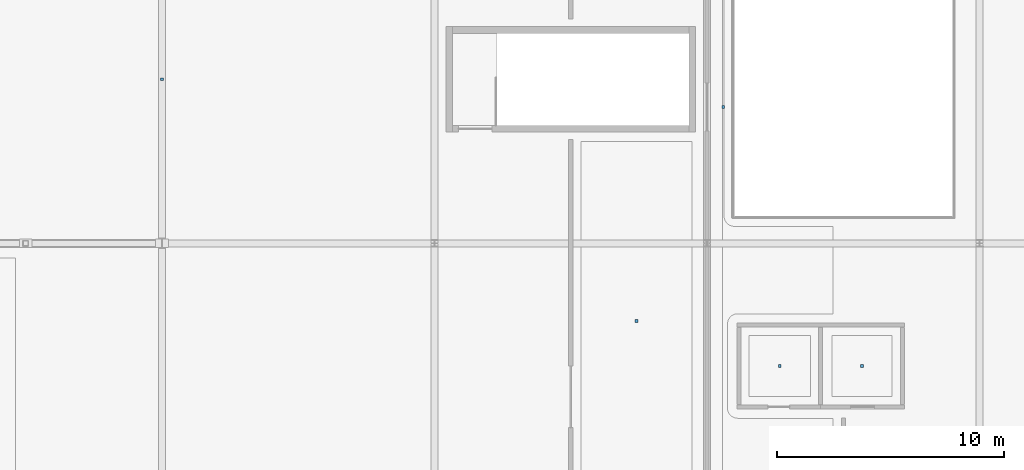
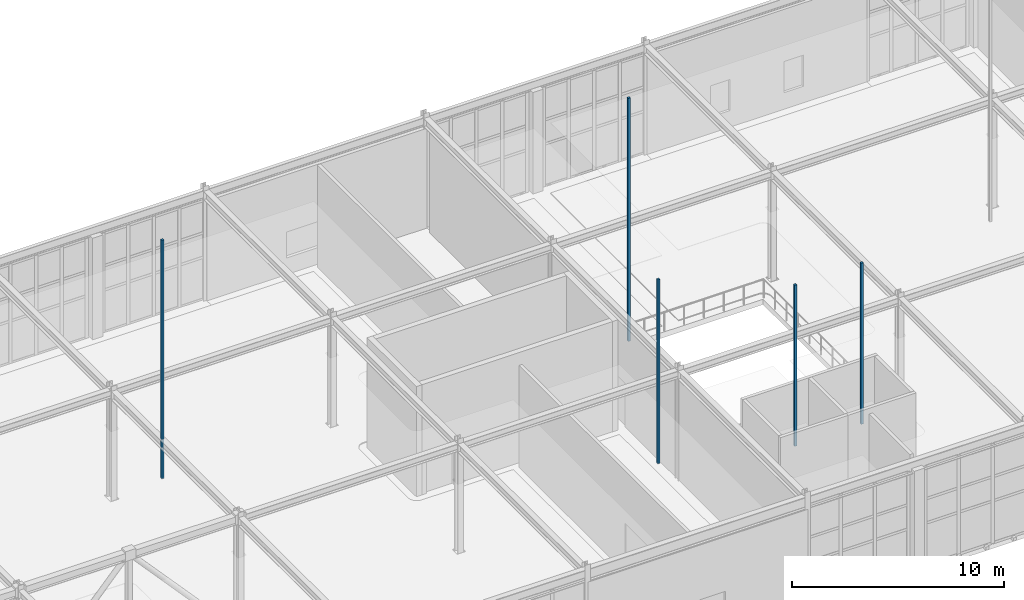
# One storey, part 45 of 62: 5 discrete accessories.
"""IFC4 building model written with IfcOpenShell, lengths in metres."""

from ifc_helpers import new_model, si_unit, direction, frame, origin, origin_2d, place, context, subcontext, project, spatial, rectangle, extrude, material, type_object, element, save


model = new_model("IFC4")

# Units and contexts
model_context = context("Model", 3, precision=1e-05, world=origin(), true_north=direction((0.0, 1.0)))
body_context = subcontext(model_context, "Body", "Model", "MODEL_VIEW")
ifc_project = project(units=[si_unit("LENGTHUNIT", "METRE"), si_unit("AREAUNIT", "SQUARE_METRE"), si_unit("VOLUMEUNIT", "CUBIC_METRE"), si_unit("PLANEANGLEUNIT", "RADIAN"), si_unit("MASSUNIT", "GRAM", prefix="KILO")], contexts=[model_context])

# Site, building, storey
site_placement = place(None, origin())
site = spatial("IfcSite", under=ifc_project, at=site_placement, CompositionType="ELEMENT")
building_placement = place(site_placement, origin())
building = spatial("IfcBuilding", under=site, at=building_placement, Name="Zlatogorsky Bluff Art Gallery", CompositionType="ELEMENT")
storey_placement = place(building_placement, frame((0.0, 0.0, 16.800048828125)))
storey = spatial("IfcBuildingStorey", under=building, at=storey_placement, Name="L03", CompositionType="ELEMENT", Elevation=16.800048828125)

# Discrete accessories
ifc_material = material(Name="Steel S355", Category="steel")
discrete_accessory_type = type_object("IfcDiscreteAccessoryType", Name="Stainless Facade Fin Bracket BRK-01", PredefinedType="BRACKET", material=ifc_material)
for number, where, z_axis, x_axis, name in (
    (1, (51.199951171875, 90.60009765625, 4.054931640625), (0.0, 0.0, 1.0), (1.0, 0.0, 0.0), "Acoustic ceiling suspension hanger L03-WC"),
    (2, (54.824951171875, 90.60009765625, 4.054931640625), (0.0, 0.0, 1.0), (1.0, 0.0, 0.0), "Acoustic ceiling suspension hanger L03-AWC"),
):
    element("IfcDiscreteAccessory", number, at=place(storey_placement, frame(where, z_axis=z_axis, x_axis=x_axis)), inside=storey, type_object=discrete_accessory_type, Name=name, PredefinedType="BRACKET", context=body_context, shape_type="SweptSolid", body=[
        extrude(rectangle(XDim=0.1201171875, YDim=0.1201171875, at=origin_2d()), origin(), (0.0, 0.0, 1.0), 9.287109375),
    ])
discrete_accessory_1_placement = place(storey_placement, frame((24.0, 103.22509765625, 4.054931640625), z_axis=(0.0, 0.0, 1.0), x_axis=(1.0, 0.0, 0.0)))
element("IfcDiscreteAccessory", 3, at=discrete_accessory_1_placement, inside=storey, type_object=discrete_accessory_type, Name="Acoustic ceiling suspension hanger L03-G1-12", PredefinedType="BRACKET", context=body_context, shape_type="SweptSolid", body=[
    extrude(rectangle(XDim=0.1201171875, YDim=0.1201171875, at=origin_2d()), origin(), (0.0, 0.0, 1.0), 13.73779296875),
])
discrete_accessory_2_placement = place(storey_placement, frame((44.889892578125, 92.580078125, 4.05517578125), z_axis=(0.0, 0.0, 1.0), x_axis=(1.0, 0.0, 0.0)))
element("IfcDiscreteAccessory", 4, at=discrete_accessory_2_placement, inside=storey, type_object=discrete_accessory_type, Name="Acoustic ceiling suspension hanger L03-G1-13", PredefinedType="BRACKET", context=body_context, shape_type="SweptSolid", body=[
    extrude(rectangle(XDim=0.1201171875, YDim=0.1201171875, at=origin_2d()), origin(), (0.0, 0.0, 1.0), 10.604248046875),
])
discrete_accessory_3_placement = place(storey_placement, frame((48.7099609375, 102.0, 4.05517578125), z_axis=(0.0, 0.0, 1.0), x_axis=(1.0, 0.0, 0.0)))
element("IfcDiscreteAccessory", 5, at=discrete_accessory_3_placement, inside=storey, type_object=discrete_accessory_type, Name="Acoustic ceiling suspension hanger L03-G2-11", PredefinedType="BRACKET", context=body_context, shape_type="SweptSolid", body=[
    extrude(rectangle(XDim=0.1201171875, YDim=0.1201171875, at=origin_2d()), origin(), (0.0, 0.0, 1.0), 14.010009765625),
])

save(model, "model.ifc")
